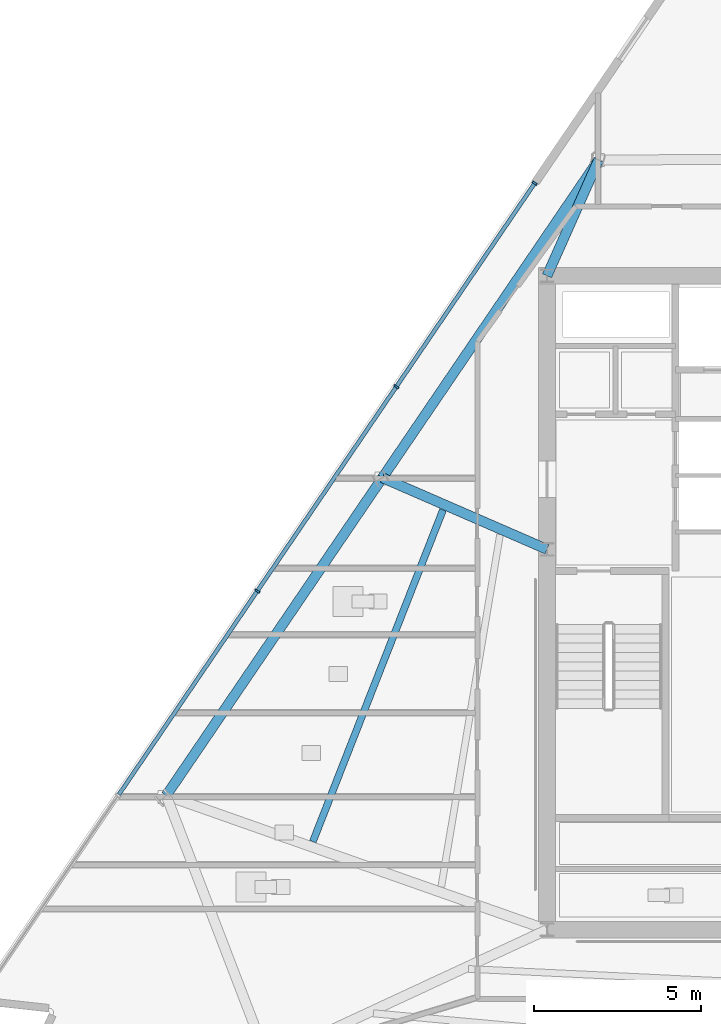
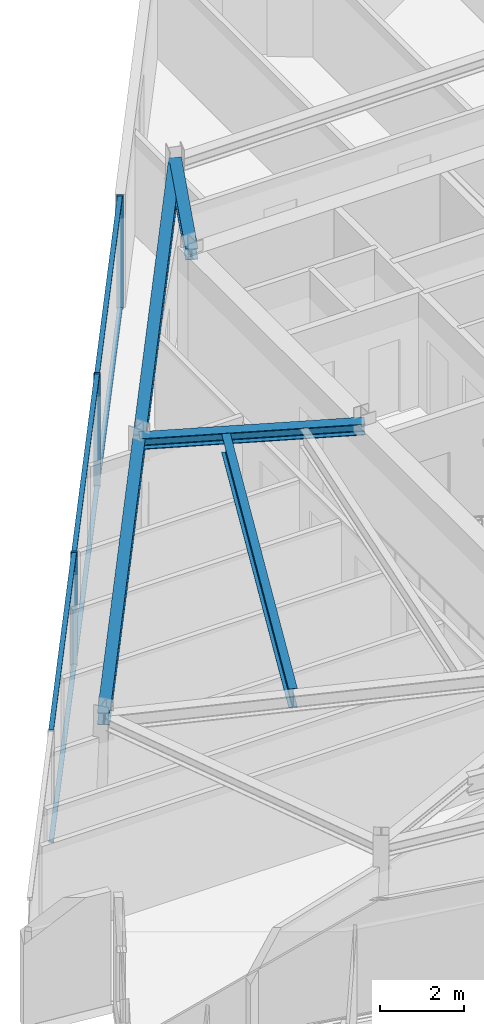
# One storey, part 4 of 14: 9 members, 5 beams, 1 element without a shape of its own.
"""IFC4 building model written with IfcOpenShell, lengths in metres."""

from ifc_helpers import new_model, si_unit, direction, frame, origin, origin_2d, place, context, subcontext, project, spatial, rectangle, i_section, extrude, material, material_profile, profile_set, type_object, element, aggregate, save


model = new_model("IFC4")

# Units and contexts
model_context = context("Model", 3, precision=1e-05, world=origin(), true_north=direction((0.0, 1.0)))
body_context = subcontext(model_context, "Body", "Model", "MODEL_VIEW")
ifc_project = project(units=[si_unit("LENGTHUNIT", "METRE"), si_unit("AREAUNIT", "SQUARE_METRE"), si_unit("VOLUMEUNIT", "CUBIC_METRE"), si_unit("PLANEANGLEUNIT", "RADIAN"), si_unit("MASSUNIT", "GRAM", prefix="KILO")], contexts=[model_context])

# Site, building, storey
site_placement = place(None, origin())
site = spatial("IfcSite", under=ifc_project, at=site_placement, CompositionType="ELEMENT")
building_placement = place(site_placement, origin())
building = spatial("IfcBuilding", under=site, at=building_placement, Name="Savorim Split Tower", CompositionType="ELEMENT")
storey_placement = place(building_placement, frame((0.0, 0.0, 237.89990234375)))
storey = spatial("IfcBuildingStorey", under=building, at=storey_placement, Name="L63", CompositionType="ELEMENT", Elevation=237.89990234375)

# Beams
ifc_material_1 = material(Name="Steel S355", Category="steel")
ifc_material_profile_1 = material_profile(ifc_material_1, i_section(OverallWidth=0.2099609375, OverallDepth=0.550048828125, WebThickness=0.010986328125, FlangeThickness=0.01708984375, FilletRadius=0.02392578125, at=origin_2d()), Name="IPE 550")
ifc_profile_set_1 = profile_set([ifc_material_profile_1], Name="Steel S355")
beam_type_1 = type_object("IfcBeamType", Name="BM-JST-IPE550", PredefinedType="JOIST", material=ifc_profile_set_1)
beam_1_placement = place(storey_placement, frame((-10.817626953125, 3.181396484375, 3.005126953125), z_axis=(-0.365300061918, -0.93088982418, 0.0), x_axis=(0.93088982418, -0.365300061918, 0.0)))
element("IfcBeam", 1, at=beam_1_placement, inside=storey, type_object=beam_type_1, Name="L63 Secondary Floor Joist JS-10", PredefinedType="JOIST", context=body_context, shape_type="SweptSolid", body=[
    extrude(i_section(OverallWidth=0.2099609375, OverallDepth=0.550048828125, WebThickness=0.010986328125, FlangeThickness=0.01708984375, FilletRadius=0.02392578125, at=origin_2d()), origin(), (0.0, 0.0, 1.0), 10.677978515625),
])
ifc_material_profile_2 = material_profile(ifc_material_1, i_section(OverallWidth=0.300048828125, OverallDepth=0.320068359375, WebThickness=0.011474609375, FlangeThickness=0.0205078125, FilletRadius=0.027099609375, at=origin_2d()), Name="HEB 320")
ifc_profile_set_2 = profile_set([ifc_material_profile_2], Name="Steel S355")
beam_type_2 = type_object("IfcBeamType", Name="BM-PRI-HEB320", PredefinedType="BEAM", material=ifc_profile_set_2)
beam_2_placement = place(storey_placement, frame((-6.154296875, 13.670654296875, 3.1201171875), z_axis=(-0.406824002345, -0.913506557785, 0.0), x_axis=(0.913506557785, -0.406824002345, 0.0)))
element("IfcBeam", 2, at=beam_2_placement, inside=storey, type_object=beam_type_2, Name="L63 Primary Floor Girder RG-08", PredefinedType="BEAM", context=body_context, shape_type="SweptSolid", body=[
    extrude(i_section(OverallWidth=0.300048828125, OverallDepth=0.320068359375, WebThickness=0.011474609375, FlangeThickness=0.0205078125, FilletRadius=0.027099609375, at=origin_2d()), origin(), (0.0, 0.0, 1.0), 3.79931640625),
])
beam_3_placement = place(storey_placement, frame((-12.63427734375, 4.1455078125, 3.1201171875), z_axis=(0.917059956751, -0.398749339465, 0.0), x_axis=(0.398749339465, 0.917059956751, 0.0)))
element("IfcBeam", 3, at=beam_3_placement, inside=storey, type_object=beam_type_2, Name="L63 Primary Floor Girder RG-09", PredefinedType="BEAM", context=body_context, shape_type="SweptSolid", body=[
    extrude(i_section(OverallWidth=0.300048828125, OverallDepth=0.320068359375, WebThickness=0.011474609375, FlangeThickness=0.0205078125, FilletRadius=0.027099609375, at=origin_2d()), origin(), (0.0, 0.0, 1.0), 5.380615234375),
])
ifc_material_profile_3 = material_profile(ifc_material_1, i_section(OverallWidth=0.300048828125, OverallDepth=0.35009765625, WebThickness=0.010009765625, FlangeThickness=0.017578125, FilletRadius=0.027099609375, at=origin_2d()), Name="HEA 360")
ifc_profile_set_3 = profile_set([ifc_material_profile_3], Name="Steel S355")
beam_type_3 = type_object("IfcBeamType", Name="BM-SPN-HEA360", PredefinedType="SPANDREL", material=ifc_profile_set_3)
for number, where, z_axis, x_axis, name in (
    (4, (-6.154296875, 13.670654296875, 3.10498046875), (-0.562481006997, -0.826810206013, 0.0), (0.826810206013, -0.562481006997, 0.0), "L63 Perimeter Spandrel Beam 8"),
    (5, (-12.63427734375, 4.1455078125, 3.10498046875), (-0.562466519491, -0.826820061713, 0.0), (0.826820061713, -0.562466519491, 0.0), "L63 Perimeter Spandrel Beam 9"),
):
    element("IfcBeam", number, at=place(storey_placement, frame(where, z_axis=z_axis, x_axis=x_axis)), inside=storey, type_object=beam_type_3, Name=name, PredefinedType="SPANDREL", context=body_context, shape_type="SweptSolid", body=[
        extrude(i_section(OverallWidth=0.300048828125, OverallDepth=0.35009765625, WebThickness=0.010009765625, FlangeThickness=0.017578125, FilletRadius=0.027099609375, at=origin_2d()), origin(), (0.0, 0.0, 1.0), 11.520263671875),
    ])

# Curtain wall, members
ifc_material_2 = material(Name="Dark Ceramic-Fritted Insulated Glass", Category="glass")
curtain_wall_type = type_object("IfcCurtainWallType", Name="CW-TWR-FRIT-B", PredefinedType="NOTDEFINED", material=ifc_material_2)
curtain_wall_placement = place(storey_placement, origin())
curtain_wall = element("IfcCurtainWall", 6, at=curtain_wall_placement, inside=storey, type_object=curtain_wall_type, Name="L63 Curtain Wall CW-L63-WEST", PredefinedType="NOTDEFINED")
ifc_material_3 = material(Name="Charcoal Anodised Aluminium", Category="aluminium")
ifc_material_profile_4 = material_profile(ifc_material_3, rectangle(XDim=0.159912109375, YDim=0.06005859375, at=origin_2d()), Name="ALU-M 160x60")
ifc_profile_set_4 = profile_set([ifc_material_profile_4], Name="Charcoal Anodised Aluminium")
member_type_1 = type_object("IfcMemberType", Name="CWM-160x60", PredefinedType="MULLION", material=ifc_profile_set_4)
member_1_placement = place(storey_placement, frame((-8.0673828125, 12.9736328125, 0.0), z_axis=(0.0, 0.0, 1.0), x_axis=(0.826820024782, -0.562466573779, 0.0)))
member_1 = element("IfcMember", 7, at=member_1_placement, type_object=member_type_1, Name="CW-03 mullion 1", PredefinedType="MULLION", context=body_context, shape_type="SweptSolid", body=[
    extrude(rectangle(XDim=0.159912109375, YDim=0.06005859375, at=origin_2d()), origin(), (0.0, 0.0, 1.0), 3.280029296875),
])
member_2_placement = place(storey_placement, frame((-12.216796875, 6.873779296875, 0.0), z_axis=(0.0, 0.0, 1.0), x_axis=(0.826820024782, -0.562466573779, 0.0)))
member_2 = element("IfcMember", 8, at=member_2_placement, type_object=member_type_1, Name="CW-03 mullion 2", PredefinedType="MULLION", context=body_context, shape_type="SweptSolid", body=[
    extrude(rectangle(XDim=0.159912109375, YDim=0.06005859375, at=origin_2d()), origin(), (0.0, 0.0, 1.0), 3.280029296875),
])
member_3_placement = place(storey_placement, frame((-16.38330078125, 0.7490234375, 0.0), z_axis=(0.0, 0.0, 1.0), x_axis=(0.826820024782, -0.562466573779, 0.0)))
member_3 = element("IfcMember", 9, at=member_3_placement, type_object=member_type_1, Name="CW-03 mullion 3", PredefinedType="MULLION", context=body_context, shape_type="SweptSolid", body=[
    extrude(rectangle(XDim=0.159912109375, YDim=0.06005859375, at=origin_2d()), origin(), (0.0, 0.0, 1.0), 3.280029296875),
])
ifc_material_profile_5 = material_profile(ifc_material_3, rectangle(XDim=0.1201171875, YDim=0.050048828125, at=origin_2d()), Name="ALU-T 120x50")
ifc_profile_set_5 = profile_set([ifc_material_profile_5], Name="Charcoal Anodised Aluminium")
member_type_2 = type_object("IfcMemberType", Name="CWT-120x50", PredefinedType="USERDEFINED", material=ifc_profile_set_5)
member_4_placement = place(storey_placement, frame((-8.084228515625, 12.94873046875, 0.025146484375), z_axis=(-0.562452376398, -0.826829682755, 0.0), x_axis=(0.826829682755, -0.562452376398, 0.0)))
member_4 = element("IfcMember", 10, at=member_4_placement, type_object=member_type_2, Name="CW-03 transom 1.1", ObjectType="TRANSOM", PredefinedType="USERDEFINED", context=body_context, shape_type="SweptSolid", body=[
    extrude(rectangle(XDim=0.1201171875, YDim=0.050048828125, at=origin_2d()), origin(), (0.0, 0.0, 1.0), 7.3173828125),
])
member_5_placement = place(storey_placement, frame((-8.084228515625, 12.94873046875, 3.255126953125), z_axis=(-0.562452376398, -0.826829682755, 0.0), x_axis=(0.826829682755, -0.562452376398, 0.0)))
member_5 = element("IfcMember", 11, at=member_5_placement, type_object=member_type_2, Name="CW-03 transom 1.2", ObjectType="TRANSOM", PredefinedType="USERDEFINED", context=body_context, shape_type="SweptSolid", body=[
    extrude(rectangle(XDim=0.1201171875, YDim=0.050048828125, at=origin_2d()), origin(), (0.0, 0.0, 1.0), 7.3173828125),
])
member_6_placement = place(storey_placement, frame((-12.233642578125, 6.848876953125, 0.025146484375), z_axis=(-0.562481783671, -0.82680967764, 0.0), x_axis=(0.82680967764, -0.562481783671, 0.0)))
member_6 = element("IfcMember", 12, at=member_6_placement, type_object=member_type_2, Name="CW-03 transom 2.1", ObjectType="TRANSOM", PredefinedType="USERDEFINED", context=body_context, shape_type="SweptSolid", body=[
    extrude(rectangle(XDim=0.1201171875, YDim=0.050048828125, at=origin_2d()), origin(), (0.0, 0.0, 1.0), 7.347412109375),
])
member_7_placement = place(storey_placement, frame((-12.233642578125, 6.848876953125, 3.255126953125), z_axis=(-0.562481783671, -0.82680967764, 0.0), x_axis=(0.82680967764, -0.562481783671, 0.0)))
member_7 = element("IfcMember", 13, at=member_7_placement, type_object=member_type_2, Name="CW-03 transom 2.2", ObjectType="TRANSOM", PredefinedType="USERDEFINED", context=body_context, shape_type="SweptSolid", body=[
    extrude(rectangle(XDim=0.1201171875, YDim=0.050048828125, at=origin_2d()), origin(), (0.0, 0.0, 1.0), 7.347412109375),
])
member_8_placement = place(storey_placement, frame((-16.400146484375, 0.724365234375, 0.025146484375), z_axis=(-0.562466330854, -0.826820190039, 0.0), x_axis=(0.826820190039, -0.562466330854, 0.0)))
member_8 = element("IfcMember", 14, at=member_8_placement, type_object=member_type_2, Name="CW-03 transom 3.1", ObjectType="TRANSOM", PredefinedType="USERDEFINED", context=body_context, shape_type="SweptSolid", body=[
    extrude(rectangle(XDim=0.1201171875, YDim=0.050048828125, at=origin_2d()), origin(), (0.0, 0.0, 1.0), 7.34765625),
])
member_9_placement = place(storey_placement, frame((-16.400146484375, 0.724365234375, 3.255126953125), z_axis=(-0.562466330854, -0.826820190039, 0.0), x_axis=(0.826820190039, -0.562466330854, 0.0)))
member_9 = element("IfcMember", 15, at=member_9_placement, type_object=member_type_2, Name="CW-03 transom 3.2", ObjectType="TRANSOM", PredefinedType="USERDEFINED", context=body_context, shape_type="SweptSolid", body=[
    extrude(rectangle(XDim=0.1201171875, YDim=0.050048828125, at=origin_2d()), origin(), (0.0, 0.0, 1.0), 7.34765625),
])
aggregate(curtain_wall, [member_1, member_2, member_3, member_4, member_5, member_6, member_7, member_8, member_9])

save(model, "model.ifc")
